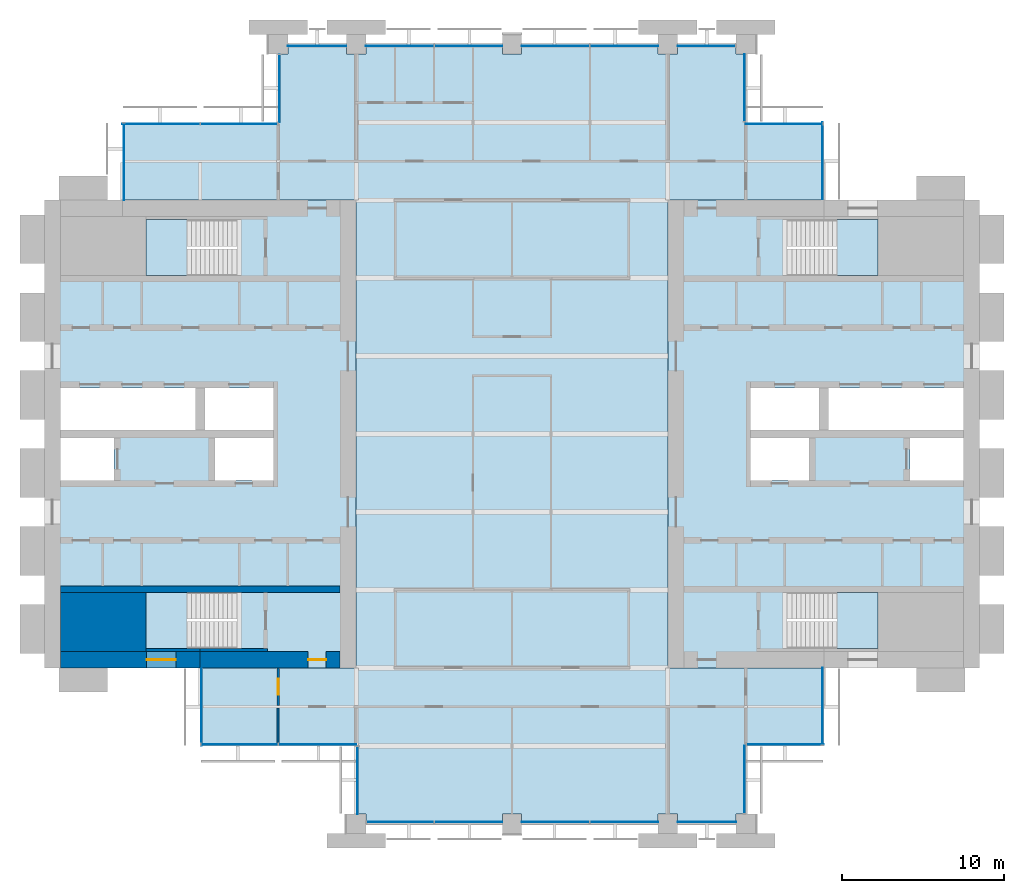
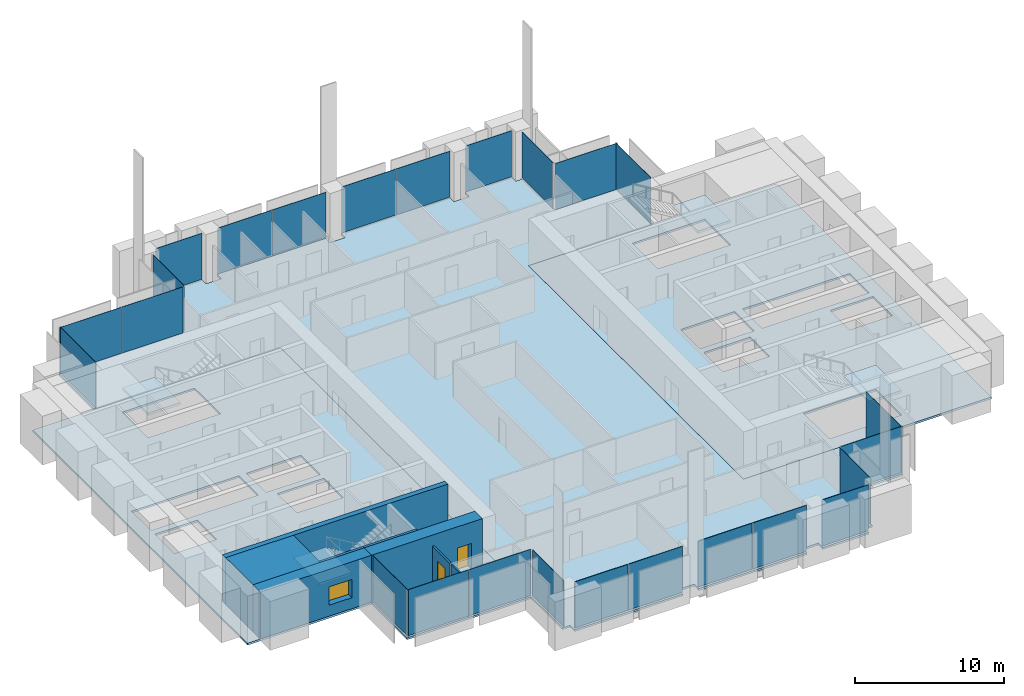
# One storey, part 8 of 14: 25 plates, 8 walls, 7 slabs, 2 doors, 1 window, 3 openings, 18 elements without a shape of their own.
"""IFC4 building model written with IfcOpenShell, lengths in metres."""

import ifcopenshell
import ifcopenshell.guid

model = None  # the IFC model being written
_history = None  # IfcOwnerHistory: only IFC2X3 demands one
_inside = {}  # id of a spatial element -> (the spatial element, [elements in it])
_under = {}  # id of a project, library or spatial element -> (it, [spatial elements below it])
_declared = {}  # id of a project -> (the project, [libraries it declares])
_typed = {}  # id of a type object -> (the type object, [elements of that type])
_made_of = {}  # id of a material, layer set ... -> (it, [elements and type objects made of it])


def new_model(schema):
    """Start an empty IFC model of exactly this schema.

    Asked for "IFC4X3", IfcOpenShell would pick the latest addendum, in which some entities
    have other attributes; the version numbers below select the first issue.
    IFC2X3 requires an IfcOwnerHistory on every rooted entity: one is made here for all.
    """
    global model, _history
    if schema == "IFC4X3":
        model = ifcopenshell.file(schema_version=(4, 3, 0, 0))
    else:
        model = ifcopenshell.file(schema=schema)
    _inside.clear()
    _under.clear()
    _declared.clear()
    _typed.clear()
    _made_of.clear()
    _history = None
    if model.schema == "IFC2X3":
        org = make("IfcOrganization", Name="unknown")
        user = make(
            "IfcPersonAndOrganization",
            ThePerson=make("IfcPerson", FamilyName="unknown"),
            TheOrganization=org,
        )
        app = make(
            "IfcApplication",
            ApplicationDeveloper=org,
            Version="unknown",
            ApplicationFullName="unknown",
            ApplicationIdentifier="unknown",
        )
        _history = make(
            "IfcOwnerHistory",
            OwningUser=user,
            OwningApplication=app,
            ChangeAction="ADDED",
            CreationDate=0,
        )
    return model


def make(cls, **values):
    """One entity of the class cls with the attributes given. An attribute that is None is left unset."""
    return model.create_entity(
        cls, **{name: value for name, value in values.items() if value is not None}
    )


def rooted(cls, **values):
    """An entity with a GlobalId (a new one), such as an element, a storey or a relation."""
    return make(cls, GlobalId=ifcopenshell.guid.new(), OwnerHistory=_history, **values)


def si_unit(unit_type, name, prefix=None):
    """IfcSIUnit, for example si_unit("LENGTHUNIT", "METRE", prefix="MILLI")."""
    return make("IfcSIUnit", UnitType=unit_type, Prefix=prefix, Name=name)


def assignment(units):
    """IfcUnitAssignment: the units of a project."""
    return None if units is None else make("IfcUnitAssignment", Units=units)


def point(xyz):
    """IfcCartesianPoint."""
    return None if xyz is None else make("IfcCartesianPoint", Coordinates=xyz)


def direction(xyz):
    """IfcDirection."""
    return None if xyz is None else make("IfcDirection", DirectionRatios=xyz)


def frame(location, z_axis=None, x_axis=None):
    """IfcAxis2Placement3D, a coordinate frame: its origin and axes. An axis left out is left unset."""
    return make(
        "IfcAxis2Placement3D",
        Location=point(location),
        Axis=direction(z_axis),
        RefDirection=direction(x_axis),
    )


def frame_2d(location, x_axis=None):
    """IfcAxis2Placement2D, a coordinate frame in the plane: its origin and x axis."""
    return make(
        "IfcAxis2Placement2D", Location=point(location), RefDirection=direction(x_axis)
    )


def origin():
    """The frame at (0, 0, 0) with its axes left unset."""
    return frame((0.0, 0.0, 0.0))


def origin_2d():
    """The frame at (0, 0) in the plane with its x axis left unset."""
    return frame_2d((0.0, 0.0))


def place(relative_to, where):
    """IfcLocalPlacement: puts the frame where relative to a parent placement (None: the world)."""
    return make(
        "IfcLocalPlacement", PlacementRelTo=relative_to, RelativePlacement=where
    )


def context(
    kind, dimensions, precision=None, world=None, true_north=None, identifier=None
):
    """IfcGeometricRepresentationContext, for example the 3D "Model" context."""
    return make(
        "IfcGeometricRepresentationContext",
        ContextIdentifier=identifier,
        ContextType=kind,
        CoordinateSpaceDimension=dimensions,
        Precision=precision,
        WorldCoordinateSystem=world,
        TrueNorth=true_north,
    )


def subcontext(parent, identifier, kind, view, scale=None):
    """IfcGeometricRepresentationSubContext, for example "Body" below "Model"."""
    return make(
        "IfcGeometricRepresentationSubContext",
        ContextIdentifier=identifier,
        ContextType=kind,
        ParentContext=parent,
        TargetScale=scale,
        TargetView=view,
    )


def project(units=None, contexts=None):
    """IfcProject with its units and contexts."""
    return rooted(
        "IfcProject",
        Name="project",
        RepresentationContexts=contexts,
        UnitsInContext=assignment(units),
    )


def spatial(cls, under=None, at=None, **own):
    """A site, building, storey or space (cls), placed at a placement, below another one or the project."""
    s = rooted(cls, ObjectPlacement=at, **own)
    if under is not None:
        _under.setdefault(under.id(), (under, []))[1].append(s)
    return s


def polyline(points):
    """IfcPolyline through the points."""
    return make("IfcPolyline", Points=[point(p) for p in points])


def profile(cls, at=None, kind="AREA", **sizes):
    """A parametric profile (cls). Its sizes go by their IFC names, for example OverallWidth=200.0."""
    return make(cls, ProfileType=kind, Position=at, **sizes)


def rectangle(**sizes):
    """IfcRectangleProfileDef."""
    return profile("IfcRectangleProfileDef", **sizes)


def outline(outer, holes=None, kind="AREA"):
    """IfcArbitraryClosedProfileDef: a profile drawn as a closed curve; with holes, ...WithVoids."""
    if holes is None:
        return make("IfcArbitraryClosedProfileDef", ProfileType=kind, OuterCurve=outer)
    return make(
        "IfcArbitraryProfileDefWithVoids",
        ProfileType=kind,
        OuterCurve=outer,
        InnerCurves=holes,
    )


def extrude(swept, where, along, depth):
    """IfcExtrudedAreaSolid: the profile swept, set in the frame where, extruded along a direction by depth."""
    return make(
        "IfcExtrudedAreaSolid",
        SweptArea=swept,
        Position=where,
        ExtrudedDirection=direction(along),
        Depth=depth,
    )


def shape(context_of_items, identifier, shape_type, items):
    """IfcShapeRepresentation: the items that make up one representation, for example the "Body"."""
    return make(
        "IfcShapeRepresentation",
        ContextOfItems=context_of_items,
        RepresentationIdentifier=identifier,
        RepresentationType=shape_type,
        Items=items,
    )


def material(Name=None, Category=None):
    """IfcMaterial."""
    return make("IfcMaterial", Name=Name, Category=Category)


def layer(
    of_material, thickness, ventilated=None, Name=None, Category=None, Priority=None
):
    """IfcMaterialLayer: one layer of a wall or slab, of a material (None: an air gap)."""
    return make(
        "IfcMaterialLayer",
        Material=of_material,
        LayerThickness=thickness,
        IsVentilated=ventilated,
        Name=Name,
        Category=Category,
        Priority=Priority,
    )


def layer_set(layers, Name=None):
    """IfcMaterialLayerSet."""
    return make("IfcMaterialLayerSet", MaterialLayers=layers, LayerSetName=Name)


def made_of(thing, what):
    """Note that an element or type object is made of a material, layer set ...; save() writes the relation."""
    if what is not None:
        _made_of.setdefault(what.id(), (what, []))[1].append(thing)
    return thing


def type_object(cls, material=None, **own):
    """A type object (cls), such as IfcWallType, which elements share."""
    return made_of(rooted(cls, **own), material)


def element(
    cls,
    number,
    at=None,
    inside=None,
    cuts=None,
    type_object=None,
    material=None,
    context=None,
    identifier="Body",
    shape_type=None,
    held_by="IfcProductDefinitionShape",
    body=None,
    shapes=None,
    **own,
):
    """One element of the class cls, such as IfcWall. Its Tag is "e" and its number.

    at: its placement. inside: the storey or other place that contains it. cuts: it is an
    opening in that element (IfcRelVoidsElement). A single representation is given by context,
    identifier, shape_type and body (its items); several are given by shapes. held_by: the class
    of the entity that holds the representations. save() writes the other relations.
    """
    e = rooted(cls, Tag="e%d" % number, ObjectPlacement=at, **own)
    if body is not None:
        shapes = [shape(context, identifier, shape_type, body)]
    if shapes is not None:
        e.Representation = make(held_by, Representations=shapes)
    if inside is not None:
        _inside.setdefault(inside.id(), (inside, []))[1].append(e)
    if cuts is not None:
        rooted(
            "IfcRelVoidsElement", RelatingBuildingElement=cuts, RelatedOpeningElement=e
        )
    if type_object is not None:
        _typed.setdefault(type_object.id(), (type_object, []))[1].append(e)
    return made_of(e, material)


def fill(opening, filler):
    """IfcRelFillsElement: the door or window that sits in an opening."""
    return rooted(
        "IfcRelFillsElement",
        RelatingOpeningElement=opening,
        RelatedBuildingElement=filler,
    )


def aggregate(whole, parts):
    """IfcRelAggregates: a whole, such as a stair, and the parts it consists of."""
    return rooted("IfcRelAggregates", RelatingObject=whole, RelatedObjects=parts)


def save(model, path):
    """Write the relations noted so far, then the file.

    IfcRelAggregates (storeys below a building ...), IfcRelContainedInSpatialStructure (elements
    in a storey), IfcRelDefinesByType, IfcRelAssociatesMaterial and IfcRelDeclares: one each for
    every whole, place, type object, material and project.
    """
    for whole, parts in _under.values():
        aggregate(whole, parts)
    for where, things in _inside.values():
        rooted(
            "IfcRelContainedInSpatialStructure",
            RelatedElements=things,
            RelatingStructure=where,
        )
    for kind, things in _typed.values():
        rooted("IfcRelDefinesByType", RelatedObjects=things, RelatingType=kind)
    for what, things in _made_of.values():
        rooted("IfcRelAssociatesMaterial", RelatedObjects=things, RelatingMaterial=what)
    for by, libraries in _declared.values():
        rooted("IfcRelDeclares", RelatingContext=by, RelatedDefinitions=libraries)
    model.write(path)


model = new_model("IFC4")

# Units and contexts
model_context = context("Model", 3, precision=1e-05, world=origin(), true_north=direction((0.0, 1.0)))
body_context = subcontext(model_context, "Body", "Model", "MODEL_VIEW")
ifc_project = project(units=[si_unit("LENGTHUNIT", "METRE"), si_unit("AREAUNIT", "SQUARE_METRE"), si_unit("VOLUMEUNIT", "CUBIC_METRE"), si_unit("PLANEANGLEUNIT", "RADIAN"), si_unit("MASSUNIT", "GRAM", prefix="KILO")], contexts=[model_context])

# Site, building, storey
site_placement = place(None, origin())
site = spatial("IfcSite", under=ifc_project, at=site_placement, CompositionType="ELEMENT")
building_placement = place(site_placement, origin())
building = spatial("IfcBuilding", under=site, at=building_placement, Name="Baori Bourse Tower", CompositionType="ELEMENT")
storey_placement = place(building_placement, frame((0.0, 0.0, 156.10009765625)))
storey = spatial("IfcBuildingStorey", under=building, at=storey_placement, Name="L34", CompositionType="ELEMENT", Elevation=156.10009765625)

# Curtain wall, plates
ifc_material_1 = material(Name="Pale anodised aluminium", Category="aluminium")
curtain_wall_type_1 = type_object("IfcCurtainWallType", Name="CW1 Curtain wall", PredefinedType="NOTDEFINED", material=ifc_material_1)
curtain_wall_1_placement = place(storey_placement, origin())
curtain_wall_1 = element("IfcCurtainWall", 1, at=curtain_wall_1_placement, inside=storey, type_object=curtain_wall_type_1, Name="Curtain wall CW1 L34 4", PredefinedType="NOTDEFINED")
ifc_material_2 = material(Name="Clear glass", Category="glass")
ifc_layer_1 = layer(ifc_material_2, 0.033935546875)
ifc_layer_set_1 = layer_set([ifc_layer_1], Name="CW1 Curtain wall panel")
plate_type_1 = type_object("IfcPlateType", Name="CW1 Curtain wall panel", PredefinedType="CURTAIN_PANEL", material=ifc_layer_set_1)
plate_1_placement = place(storey_placement, frame((40.77001953125, 47.89990234375, 0.080078125), z_axis=(0.0, 0.0, 1.0), x_axis=(-1.0, 0.0, 0.0)))
plate_1 = element("IfcPlate", 2, at=plate_1_placement, type_object=plate_type_1, Name="Curtain wall CW1 panel", PredefinedType="CURTAIN_PANEL", context=body_context, shape_type="SweptSolid", body=[
    extrude(rectangle(XDim=3.5400390625, YDim=0.033935546875, at=origin_2d()), origin(), (0.0, 0.0, 1.0), 3.760009765625),
])
plate_2_placement = place(storey_placement, frame((35.715087890625, 47.89990234375, 0.080078125), z_axis=(0.0, 0.0, 1.0), x_axis=(-1.0, 0.0, 0.0)))
plate_2 = element("IfcPlate", 3, at=plate_2_placement, type_object=plate_type_1, Name="Curtain wall CW1 panel", PredefinedType="CURTAIN_PANEL", context=body_context, shape_type="SweptSolid", body=[
    extrude(rectangle(XDim=4.169921875, YDim=0.033935546875, at=origin_2d()), origin(), (0.0, 0.0, 1.0), 3.760009765625),
])
plate_3_placement = place(storey_placement, frame((31.485107421875, 47.89990234375, 0.080078125), z_axis=(0.0, 0.0, 1.0), x_axis=(-1.0, 0.0, 0.0)))
plate_3 = element("IfcPlate", 4, at=plate_3_placement, type_object=plate_type_1, Name="Curtain wall CW1 panel", PredefinedType="CURTAIN_PANEL", context=body_context, shape_type="SweptSolid", body=[
    extrude(rectangle(XDim=4.169921875, YDim=0.033935546875, at=origin_2d()), origin(), (0.0, 0.0, 1.0), 3.760009765625),
])
plate_4_placement = place(storey_placement, frame((26.114990234375, 47.89990234375, 0.080078125), z_axis=(0.0, 0.0, 1.0), x_axis=(-1.0, 0.0, 0.0)))
plate_4 = element("IfcPlate", 5, at=plate_4_placement, type_object=plate_type_1, Name="Curtain wall CW1 panel", PredefinedType="CURTAIN_PANEL", context=body_context, shape_type="SweptSolid", body=[
    extrude(rectangle(XDim=4.169921875, YDim=0.033935546875, at=origin_2d()), origin(), (0.0, 0.0, 1.0), 3.760009765625),
])
plate_5_placement = place(storey_placement, frame((21.885009765625, 47.89990234375, 0.080078125), z_axis=(0.0, 0.0, 1.0), x_axis=(-1.0, 0.0, 0.0)))
plate_5 = element("IfcPlate", 6, at=plate_5_placement, type_object=plate_type_1, Name="Curtain wall CW1 panel", PredefinedType="CURTAIN_PANEL", context=body_context, shape_type="SweptSolid", body=[
    extrude(rectangle(XDim=4.169921875, YDim=0.033935546875, at=origin_2d()), origin(), (0.0, 0.0, 1.0), 3.760009765625),
])
plate_6_placement = place(storey_placement, frame((16.800048828125, 47.89990234375, 0.080078125), z_axis=(0.0, 0.0, 1.0), x_axis=(-1.0, 0.0, 0.0)))
plate_6 = element("IfcPlate", 7, at=plate_6_placement, type_object=plate_type_1, Name="Curtain wall CW1 panel", PredefinedType="CURTAIN_PANEL", context=body_context, shape_type="SweptSolid", body=[
    extrude(rectangle(XDim=3.60009765625, YDim=0.033935546875, at=origin_2d()), origin(), (0.0, 0.0, 1.0), 3.760009765625),
])
aggregate(curtain_wall_1, [plate_1, plate_2, plate_3, plate_4, plate_5, plate_6])

curtain_wall_2_placement = place(storey_placement, origin())
curtain_wall_2 = element("IfcCurtainWall", 8, at=curtain_wall_2_placement, inside=storey, type_object=curtain_wall_type_1, Name="Curtain wall CW1 L34 11", PredefinedType="NOTDEFINED")
plate_7_placement = place(storey_placement, frame((21.9150390625, 0.10009765625, 0.080078125), z_axis=(0.0, 0.0, 1.0), x_axis=(1.0, 0.0, 0.0)))
plate_7 = element("IfcPlate", 9, at=plate_7_placement, type_object=plate_type_1, Name="Curtain wall CW1 panel", PredefinedType="CURTAIN_PANEL", context=body_context, shape_type="SweptSolid", body=[
    extrude(rectangle(XDim=4.110107421875, YDim=0.033935546875, at=origin_2d()), origin(), (0.0, 0.0, 1.0), 3.760009765625),
])
plate_8_placement = place(storey_placement, frame((26.114990234375, 0.10009765625, 0.080078125), z_axis=(0.0, 0.0, 1.0), x_axis=(1.0, 0.0, 0.0)))
plate_8 = element("IfcPlate", 10, at=plate_8_placement, type_object=plate_type_1, Name="Curtain wall CW1 panel", PredefinedType="CURTAIN_PANEL", context=body_context, shape_type="SweptSolid", body=[
    extrude(rectangle(XDim=4.169921875, YDim=0.033935546875, at=origin_2d()), origin(), (0.0, 0.0, 1.0), 3.760009765625),
])
plate_9_placement = place(storey_placement, frame((31.485107421875, 0.10009765625, 0.080078125), z_axis=(0.0, 0.0, 1.0), x_axis=(1.0, 0.0, 0.0)))
plate_9 = element("IfcPlate", 11, at=plate_9_placement, type_object=plate_type_1, Name="Curtain wall CW1 panel", PredefinedType="CURTAIN_PANEL", context=body_context, shape_type="SweptSolid", body=[
    extrude(rectangle(XDim=4.169921875, YDim=0.033935546875, at=origin_2d()), origin(), (0.0, 0.0, 1.0), 3.760009765625),
])
plate_10_placement = place(storey_placement, frame((35.715087890625, 0.10009765625, 0.080078125), z_axis=(0.0, 0.0, 1.0), x_axis=(1.0, 0.0, 0.0)))
plate_10 = element("IfcPlate", 12, at=plate_10_placement, type_object=plate_type_1, Name="Curtain wall CW1 panel", PredefinedType="CURTAIN_PANEL", context=body_context, shape_type="SweptSolid", body=[
    extrude(rectangle(XDim=4.169921875, YDim=0.033935546875, at=origin_2d()), origin(), (0.0, 0.0, 1.0), 3.760009765625),
])
plate_11_placement = place(storey_placement, frame((40.800048828125, 0.10009765625, 0.080078125), z_axis=(0.0, 0.0, 1.0), x_axis=(1.0, 0.0, 0.0)))
plate_11 = element("IfcPlate", 13, at=plate_11_placement, type_object=plate_type_1, Name="Curtain wall CW1 panel", PredefinedType="CURTAIN_PANEL", context=body_context, shape_type="SweptSolid", body=[
    extrude(rectangle(XDim=3.60009765625, YDim=0.033935546875, at=origin_2d()), origin(), (0.0, 0.0, 1.0), 3.760009765625),
])
aggregate(curtain_wall_2, [plate_7, plate_8, plate_9, plate_10, plate_11])

# Curtain wall, plate
ifc_material_3 = material(Name="Pale anodised aluminium", Category="aluminium")
curtain_wall_type_2 = type_object("IfcCurtainWallType", Name="CW2 Curtain wall", PredefinedType="NOTDEFINED", material=ifc_material_3)
curtain_wall_3_placement = place(storey_placement, origin())
curtain_wall_3 = element("IfcCurtainWall", 14, at=curtain_wall_3_placement, inside=storey, type_object=curtain_wall_type_2, Name="Curtain wall CW2 L34 1", PredefinedType="NOTDEFINED")
ifc_material_4 = material(Name="Clear glass", Category="glass")
ifc_layer_2 = layer(ifc_material_4, 0.030029296875)
ifc_layer_set_2 = layer_set([ifc_layer_2], Name="CW2 Curtain wall panel")
plate_type_2 = type_object("IfcPlateType", Name="CW2 Curtain wall panel", PredefinedType="CURTAIN_PANEL", material=ifc_layer_set_2)
plate_12_placement = place(storey_placement, frame((47.909912109375, 40.827392578125, 0.06982421875), z_axis=(0.0, 0.0, 1.0), x_axis=(0.0, 1.0, 0.0)))
plate_12 = element("IfcPlate", 15, at=plate_12_placement, type_object=plate_type_2, Name="Curtain wall CW2 panel", PredefinedType="CURTAIN_PANEL", context=body_context, shape_type="SweptSolid", body=[
    extrude(rectangle(XDim=4.7451171875, YDim=0.030029296875, at=origin_2d()), origin(), (0.0, 0.0, 1.0), 3.77001953125),
])
aggregate(curtain_wall_3, [plate_12])

curtain_wall_4_placement = place(storey_placement, origin())
curtain_wall_4 = element("IfcCurtainWall", 16, at=curtain_wall_4_placement, inside=storey, type_object=curtain_wall_type_2, Name="Curtain wall CW2 L34 2", PredefinedType="NOTDEFINED")
plate_13_placement = place(storey_placement, frame((45.572509765625, 43.110107421875, 0.06982421875), z_axis=(0.0, 0.0, 1.0), x_axis=(-1.0, 0.0, 0.0)))
plate_13 = element("IfcPlate", 17, at=plate_13_placement, type_object=plate_type_2, Name="Curtain wall CW2 panel", PredefinedType="CURTAIN_PANEL", context=body_context, shape_type="SweptSolid", body=[
    extrude(rectangle(XDim=4.7451171875, YDim=0.030029296875, at=origin_2d()), origin(), (0.0, 0.0, 1.0), 3.77001953125),
])
aggregate(curtain_wall_4, [plate_13])

curtain_wall_5_placement = place(storey_placement, origin())
curtain_wall_5 = element("IfcCurtainWall", 18, at=curtain_wall_5_placement, inside=storey, type_object=curtain_wall_type_2, Name="Curtain wall CW2 L34 3", PredefinedType="NOTDEFINED")
plate_14_placement = place(storey_placement, frame((43.110107421875, 45.327392578125, 0.06982421875), z_axis=(0.0, 0.0, 1.0), x_axis=(0.0, 1.0, 0.0)))
plate_14 = element("IfcPlate", 19, at=plate_14_placement, type_object=plate_type_2, Name="Curtain wall CW2 panel", PredefinedType="CURTAIN_PANEL", context=body_context, shape_type="SweptSolid", body=[
    extrude(rectangle(XDim=4.14501953125, YDim=0.030029296875, at=origin_2d()), origin(), (0.0, 0.0, 1.0), 3.77001953125),
])
aggregate(curtain_wall_5, [plate_14])

curtain_wall_6_placement = place(storey_placement, origin())
curtain_wall_6 = element("IfcCurtainWall", 20, at=curtain_wall_6_placement, inside=storey, type_object=curtain_wall_type_2, Name="Curtain wall CW2 L34 5", PredefinedType="NOTDEFINED")
plate_15_placement = place(storey_placement, frame((14.489990234375, 45.2724609375, 0.06982421875), z_axis=(0.0, 0.0, 1.0), x_axis=(0.0, -1.0, 0.0)))
plate_15 = element("IfcPlate", 21, at=plate_15_placement, type_object=plate_type_2, Name="Curtain wall CW2 panel", PredefinedType="CURTAIN_PANEL", context=body_context, shape_type="SweptSolid", body=[
    extrude(rectangle(XDim=4.14501953125, YDim=0.030029296875, at=origin_2d()), origin(), (0.0, 0.0, 1.0), 3.77001953125),
])
aggregate(curtain_wall_6, [plate_15])

# Curtain wall, plates
curtain_wall_7_placement = place(storey_placement, origin())
curtain_wall_7 = element("IfcCurtainWall", 22, at=curtain_wall_7_placement, inside=storey, type_object=curtain_wall_type_2, Name="Curtain wall CW2 L34 6", PredefinedType="NOTDEFINED")
plate_16_placement = place(storey_placement, frame((11.986328125, 43.110107421875, 0.06982421875), z_axis=(0.0, 0.0, 1.0), x_axis=(-1.0, 0.0, 0.0)))
plate_16 = element("IfcPlate", 23, at=plate_16_placement, type_object=plate_type_2, Name="Curtain wall CW2 panel", PredefinedType="CURTAIN_PANEL", context=body_context, shape_type="SweptSolid", body=[
    extrude(rectangle(XDim=4.717529296875, YDim=0.030029296875, at=origin_2d()), origin(), (0.0, 0.0, 1.0), 3.77001953125),
])
plate_17_placement = place(storey_placement, frame((7.186279296875, 43.110107421875, 0.06982421875), z_axis=(0.0, 0.0, 1.0), x_axis=(-1.0, 0.0, 0.0)))
plate_17 = element("IfcPlate", 24, at=plate_17_placement, type_object=plate_type_2, Name="Curtain wall CW2 panel", PredefinedType="CURTAIN_PANEL", context=body_context, shape_type="SweptSolid", body=[
    extrude(rectangle(XDim=4.7724609375, YDim=0.030029296875, at=origin_2d()), origin(), (0.0, 0.0, 1.0), 3.77001953125),
])
aggregate(curtain_wall_7, [plate_16, plate_17])

# Curtain wall, plate
curtain_wall_8_placement = place(storey_placement, origin())
curtain_wall_8 = element("IfcCurtainWall", 25, at=curtain_wall_8_placement, inside=storey, type_object=curtain_wall_type_2, Name="Curtain wall CW2 L34 7", PredefinedType="NOTDEFINED")
plate_18_placement = place(storey_placement, frame((4.889892578125, 40.7724609375, 0.06982421875), z_axis=(0.0, 0.0, 1.0), x_axis=(0.0, -1.0, 0.0)))
plate_18 = element("IfcPlate", 26, at=plate_18_placement, type_object=plate_type_2, Name="Curtain wall CW2 panel", PredefinedType="CURTAIN_PANEL", context=body_context, shape_type="SweptSolid", body=[
    extrude(rectangle(XDim=4.7451171875, YDim=0.030029296875, at=origin_2d()), origin(), (0.0, 0.0, 1.0), 3.77001953125),
])
aggregate(curtain_wall_8, [plate_18])

curtain_wall_9_placement = place(storey_placement, origin())
curtain_wall_9 = element("IfcCurtainWall", 27, at=curtain_wall_9_placement, inside=storey, type_object=curtain_wall_type_2, Name="Curtain wall CW2 L34 8", PredefinedType="NOTDEFINED")
plate_19_placement = place(storey_placement, frame((9.68994140625, 7.172607421875, 0.06982421875), z_axis=(0.0, 0.0, 1.0), x_axis=(0.0, -1.0, 0.0)))
plate_19 = element("IfcPlate", 28, at=plate_19_placement, type_object=plate_type_2, Name="Curtain wall CW2 panel", PredefinedType="CURTAIN_PANEL", context=body_context, shape_type="SweptSolid", body=[
    extrude(rectangle(XDim=4.7451171875, YDim=0.030029296875, at=origin_2d()), origin(), (0.0, 0.0, 1.0), 3.77001953125),
])
aggregate(curtain_wall_9, [plate_19])

# Curtain wall, plates
curtain_wall_10_placement = place(storey_placement, origin())
curtain_wall_10 = element("IfcCurtainWall", 29, at=curtain_wall_10_placement, inside=storey, type_object=curtain_wall_type_2, Name="Curtain wall CW2 L34 9", PredefinedType="NOTDEFINED")
plate_20_placement = place(storey_placement, frame((12.013671875, 4.889892578125, 0.06982421875), z_axis=(0.0, 0.0, 1.0), x_axis=(1.0, 0.0, 0.0)))
plate_20 = element("IfcPlate", 30, at=plate_20_placement, type_object=plate_type_2, Name="Curtain wall CW2 panel", PredefinedType="CURTAIN_PANEL", context=body_context, shape_type="SweptSolid", body=[
    extrude(rectangle(XDim=4.717529296875, YDim=0.030029296875, at=origin_2d()), origin(), (0.0, 0.0, 1.0), 3.77001953125),
])
plate_21_placement = place(storey_placement, frame((16.813720703125, 4.889892578125, 0.06982421875), z_axis=(0.0, 0.0, 1.0), x_axis=(1.0, 0.0, 0.0)))
plate_21 = element("IfcPlate", 31, at=plate_21_placement, type_object=plate_type_2, Name="Curtain wall CW2 panel", PredefinedType="CURTAIN_PANEL", context=body_context, shape_type="SweptSolid", body=[
    extrude(rectangle(XDim=4.7724609375, YDim=0.030029296875, at=origin_2d()), origin(), (0.0, 0.0, 1.0), 3.77001953125),
])
aggregate(curtain_wall_10, [plate_20, plate_21])

# Curtain wall, plate
curtain_wall_11_placement = place(storey_placement, origin())
curtain_wall_11 = element("IfcCurtainWall", 32, at=curtain_wall_11_placement, inside=storey, type_object=curtain_wall_type_2, Name="Curtain wall CW2 L34 10", PredefinedType="NOTDEFINED")
plate_22_placement = place(storey_placement, frame((19.2900390625, 2.672607421875, 0.06982421875), z_axis=(0.0, 0.0, 1.0), x_axis=(0.0, -1.0, 0.0)))
plate_22 = element("IfcPlate", 33, at=plate_22_placement, type_object=plate_type_2, Name="Curtain wall CW2 panel", PredefinedType="CURTAIN_PANEL", context=body_context, shape_type="SweptSolid", body=[
    extrude(rectangle(XDim=4.14501953125, YDim=0.030029296875, at=origin_2d()), origin(), (0.0, 0.0, 1.0), 3.77001953125),
])
aggregate(curtain_wall_11, [plate_22])

curtain_wall_12_placement = place(storey_placement, origin())
curtain_wall_12 = element("IfcCurtainWall", 34, at=curtain_wall_12_placement, inside=storey, type_object=curtain_wall_type_2, Name="Curtain wall CW2 L34 12", PredefinedType="NOTDEFINED")
plate_23_placement = place(storey_placement, frame((43.110107421875, 2.7275390625, 0.06982421875), z_axis=(0.0, 0.0, 1.0), x_axis=(0.0, 1.0, 0.0)))
plate_23 = element("IfcPlate", 35, at=plate_23_placement, type_object=plate_type_2, Name="Curtain wall CW2 panel", PredefinedType="CURTAIN_PANEL", context=body_context, shape_type="SweptSolid", body=[
    extrude(rectangle(XDim=4.14501953125, YDim=0.030029296875, at=origin_2d()), origin(), (0.0, 0.0, 1.0), 3.77001953125),
])
aggregate(curtain_wall_12, [plate_23])

curtain_wall_13_placement = place(storey_placement, origin())
curtain_wall_13 = element("IfcCurtainWall", 36, at=curtain_wall_13_placement, inside=storey, type_object=curtain_wall_type_2, Name="Curtain wall CW2 L34 13", PredefinedType="NOTDEFINED")
plate_24_placement = place(storey_placement, frame((45.62744140625, 4.889892578125, 0.06982421875), z_axis=(0.0, 0.0, 1.0), x_axis=(1.0, 0.0, 0.0)))
plate_24 = element("IfcPlate", 37, at=plate_24_placement, type_object=plate_type_2, Name="Curtain wall CW2 panel", PredefinedType="CURTAIN_PANEL", context=body_context, shape_type="SweptSolid", body=[
    extrude(rectangle(XDim=4.7451171875, YDim=0.030029296875, at=origin_2d()), origin(), (0.0, 0.0, 1.0), 3.77001953125),
])
aggregate(curtain_wall_13, [plate_24])

curtain_wall_14_placement = place(storey_placement, origin())
curtain_wall_14 = element("IfcCurtainWall", 38, at=curtain_wall_14_placement, inside=storey, type_object=curtain_wall_type_2, Name="Curtain wall CW2 L34 14", PredefinedType="NOTDEFINED")
plate_25_placement = place(storey_placement, frame((47.909912109375, 7.2275390625, 0.06982421875), z_axis=(0.0, 0.0, 1.0), x_axis=(0.0, 1.0, 0.0)))
plate_25 = element("IfcPlate", 39, at=plate_25_placement, type_object=plate_type_2, Name="Curtain wall CW2 panel", PredefinedType="CURTAIN_PANEL", context=body_context, shape_type="SweptSolid", body=[
    extrude(rectangle(XDim=4.7451171875, YDim=0.030029296875, at=origin_2d()), origin(), (0.0, 0.0, 1.0), 3.77001953125),
])
aggregate(curtain_wall_14, [plate_25])

# Slabs
ifc_material_5 = material(Name="Concrete f'c 50 MPa", Category="concrete")
ifc_layer_3 = layer(ifc_material_5, 0.159912109375)
ifc_layer_set_3 = layer_set([ifc_layer_3], Name="Core slab 160")
slab_type_1 = type_object("IfcSlabType", Name="Core slab 160", PredefinedType="FLOOR", material=ifc_layer_set_3)
slab_1_placement = place(storey_placement, frame((0.0, 0.0, -0.16015625)))
element("IfcSlab", 40, at=slab_1_placement, inside=storey, type_object=slab_type_1, Name="Core floor slab W01", PredefinedType="FLOOR", context=body_context, shape_type="SweptSolid", body=[
    extrude(outline(polyline([(0.0, 38.39990234375), (0.0, 9.60009765625), (19.199951171875, 9.60009765625), (19.199951171875, 38.39990234375), (0.0, 38.39990234375)]), holes=[polyline([(10.5, 21.14990234375), (10.5, 23.75), (14.10009765625, 23.75), (14.10009765625, 21.14990234375), (10.5, 21.14990234375)]), polyline([(14.10009765625, 24.25), (9.89990234375, 24.25), (9.89990234375, 26.85009765625), (14.10009765625, 26.85009765625), (14.10009765625, 24.25)]), polyline([(6.25, 14.25), (11.84912109375, 14.25), (11.84912109375, 10.800048828125), (6.25, 10.800048828125), (6.25, 14.25)]), polyline([(11.84912109375, 37.199951171875), (11.84912109375, 33.75), (6.25, 33.75), (6.25, 37.199951171875), (11.84912109375, 37.199951171875)]), polyline([(1.0, 26.85009765625), (9.300048828125, 26.85009765625), (9.300048828125, 24.25), (1.0, 24.25), (1.0, 26.85009765625)]), polyline([(4.300048828125, 23.75), (4.300048828125, 21.14990234375), (1.0, 21.14990234375), (1.0, 23.75), (4.300048828125, 23.75)])]), origin(), (0.0, 0.0, 1.0), 0.16015625),
])
slab_2_placement = place(storey_placement, frame((0.0, 0.0, -0.16015625)))
element("IfcSlab", 41, at=slab_2_placement, inside=storey, type_object=slab_type_1, Name="Core floor slab E01", PredefinedType="FLOOR", context=body_context, shape_type="SweptSolid", body=[
    extrude(outline(polyline([(57.60009765625, 38.39990234375), (38.39990234375, 38.39990234375), (38.39990234375, 9.60009765625), (57.60009765625, 9.60009765625), (57.60009765625, 38.39990234375)]), holes=[polyline([(56.60009765625, 21.14990234375), (53.300048828125, 21.14990234375), (53.300048828125, 23.75), (56.60009765625, 23.75), (56.60009765625, 21.14990234375)]), polyline([(56.60009765625, 26.85009765625), (56.60009765625, 24.25), (48.300048828125, 24.25), (48.300048828125, 26.85009765625), (56.60009765625, 26.85009765625)]), polyline([(45.750732421875, 14.25), (51.35009765625, 14.25), (51.35009765625, 10.800048828125), (45.750732421875, 10.800048828125), (45.750732421875, 14.25)]), polyline([(51.35009765625, 37.199951171875), (51.35009765625, 33.75), (45.750732421875, 33.75), (45.750732421875, 37.199951171875), (51.35009765625, 37.199951171875)]), polyline([(43.5, 24.25), (43.5, 26.85009765625), (47.699951171875, 26.85009765625), (47.699951171875, 24.25), (43.5, 24.25)]), polyline([(43.5, 23.75), (47.10009765625, 23.75), (47.10009765625, 21.14990234375), (43.5, 21.14990234375), (43.5, 23.75)])]), origin(), (0.0, 0.0, 1.0), 0.16015625),
])

# Stair, slab
ifc_material_6 = material(Name="Concrete f'c 50 MPa", Category="concrete")
stair_type = type_object("IfcStairType", Name="Core stair", PredefinedType="HALF_TURN_STAIR", material=ifc_material_6)
stair_1_placement = place(storey_placement, origin())
stair_1 = element("IfcStair", 42, at=stair_1_placement, inside=storey, type_object=stair_type, Name="L34 Stair WA", PredefinedType="HALF_TURN_STAIR")
ifc_material_7 = material(Name="Concrete f'c 50 MPa", Category="concrete")
slab_type_2 = type_object("IfcSlabType", Name="Core stair landing", PredefinedType="LANDING", material=ifc_material_7)
slab_3_placement = place(storey_placement, frame((0.0, 0.0, 1.7998046875)))
slab_3 = element("IfcSlab", 43, at=slab_3_placement, type_object=slab_type_2, Name="ST1 landing 1", PredefinedType="LANDING", context=body_context, shape_type="SweptSolid", body=[
    extrude(outline(polyline([(8.77001953125, 14.25), (6.25, 14.25), (6.25, 10.800048828125), (8.77001953125, 10.800048828125), (8.77001953125, 14.25)])), origin(), (0.0, 0.0, 1.0), 0.2001953125),
])
aggregate(stair_1, [slab_3])

stair_2_placement = place(storey_placement, origin())
stair_2 = element("IfcStair", 44, at=stair_2_placement, inside=storey, type_object=stair_type, Name="L34 Stair WB", PredefinedType="HALF_TURN_STAIR")
slab_4_placement = place(storey_placement, frame((0.0, 0.0, 1.7998046875)))
slab_4 = element("IfcSlab", 45, at=slab_4_placement, type_object=slab_type_2, Name="ST2 landing 1", PredefinedType="LANDING", context=body_context, shape_type="SweptSolid", body=[
    extrude(outline(polyline([(8.77001953125, 37.199951171875), (6.25, 37.199951171875), (6.25, 33.75), (8.77001953125, 33.75), (8.77001953125, 37.199951171875)])), origin(), (0.0, 0.0, 1.0), 0.2001953125),
])
aggregate(stair_2, [slab_4])

stair_3_placement = place(storey_placement, origin())
stair_3 = element("IfcStair", 46, at=stair_3_placement, inside=storey, type_object=stair_type, Name="L34 Stair EA", PredefinedType="HALF_TURN_STAIR")
slab_5_placement = place(storey_placement, frame((0.0, 0.0, 1.7998046875)))
slab_5 = element("IfcSlab", 47, at=slab_5_placement, type_object=slab_type_2, Name="ST3 landing 1", PredefinedType="LANDING", context=body_context, shape_type="SweptSolid", body=[
    extrude(outline(polyline([(48.830078125, 10.800048828125), (51.35009765625, 10.800048828125), (51.35009765625, 14.25), (48.830078125, 14.25), (48.830078125, 10.800048828125)])), origin(), (0.0, 0.0, 1.0), 0.2001953125),
])
aggregate(stair_3, [slab_5])

stair_4_placement = place(storey_placement, origin())
stair_4 = element("IfcStair", 48, at=stair_4_placement, inside=storey, type_object=stair_type, Name="L34 Stair EB", PredefinedType="HALF_TURN_STAIR")
slab_6_placement = place(storey_placement, frame((0.0, 0.0, 1.7998046875)))
slab_6 = element("IfcSlab", 49, at=slab_6_placement, type_object=slab_type_2, Name="ST4 landing 1", PredefinedType="LANDING", context=body_context, shape_type="SweptSolid", body=[
    extrude(outline(polyline([(48.830078125, 33.75), (51.35009765625, 33.75), (51.35009765625, 37.199951171875), (48.830078125, 37.199951171875), (48.830078125, 33.75)])), origin(), (0.0, 0.0, 1.0), 0.2001953125),
])
aggregate(stair_4, [slab_6])

# Slab
ifc_material_8 = material(Name="Concrete f'c 40 MPa", Category="concrete")
ifc_layer_4 = layer(ifc_material_8, 0.159912109375)
ifc_layer_set_4 = layer_set([ifc_layer_4], Name="Floor slab 160")
slab_type_3 = type_object("IfcSlabType", Name="Floor slab 160", PredefinedType="FLOOR", material=ifc_layer_set_4)
slab_7_placement = place(storey_placement, frame((0.0, 0.0, -0.16015625)))
element("IfcSlab", 50, at=slab_7_placement, inside=storey, type_object=slab_type_3, Name="Floor slab L34", PredefinedType="FLOOR", context=body_context, shape_type="SweptSolid", body=[
    extrude(outline(polyline([(19.199951171875, 4.800048828125), (9.60009765625, 4.800048828125), (9.60009765625, 9.60009765625), (19.199951171875, 9.60009765625), (19.199951171875, 38.39990234375), (4.800048828125, 38.39990234375), (4.800048828125, 43.199951171875), (14.39990234375, 43.199951171875), (14.39990234375, 47.39990234375), (15.0, 47.39990234375), (15.0, 48.0), (18.60009765625, 48.0), (18.60009765625, 47.39990234375), (19.800048828125, 47.39990234375), (19.800048828125, 48.0), (28.199951171875, 48.0), (28.199951171875, 47.39990234375), (29.39990234375, 47.39990234375), (29.39990234375, 48.0), (37.800048828125, 48.0), (37.800048828125, 47.39990234375), (39.0, 47.39990234375), (39.0, 48.0), (42.60009765625, 48.0), (42.60009765625, 47.39990234375), (43.199951171875, 47.39990234375), (43.199951171875, 43.199951171875), (48.0, 43.199951171875), (48.0, 38.39990234375), (38.39990234375, 38.39990234375), (38.39990234375, 9.60009765625), (48.0, 9.60009765625), (48.0, 4.800048828125), (43.199951171875, 4.800048828125), (43.199951171875, 0.60009765625), (42.60009765625, 0.60009765625), (42.60009765625, 0.0), (39.0, 0.0), (39.0, 0.60009765625), (37.800048828125, 0.60009765625), (37.800048828125, 0.0), (29.39990234375, 0.0), (29.39990234375, 0.60009765625), (28.199951171875, 0.60009765625), (28.199951171875, 0.0), (19.800048828125, 0.0), (19.800048828125, 0.60009765625), (19.199951171875, 0.60009765625), (19.199951171875, 4.800048828125)])), origin(), (0.0, 0.0, 1.0), 0.16015625),
])

# Wall
ifc_material_9 = material(Name="Concrete f'c 60 MPa", Category="concrete")
wall_type_1 = type_object("IfcWallType", Name="Core corner block f'c 60", PredefinedType="SHEAR", material=ifc_material_9)
wall_1_placement = place(storey_placement, frame((1.0, 12.425048828125, 0.0), z_axis=(0.0, 0.0, 1.0), x_axis=(1.0, 0.0, 0.0)))
element("IfcWall", 51, at=wall_1_placement, inside=storey, type_object=wall_type_1, Name="Core wall W05", PredefinedType="SHEAR", context=body_context, shape_type="SweptSolid", body=[
    extrude(rectangle(XDim=5.25, YDim=3.64990234375, at=frame_2d((2.625, 0.0))), origin(), (0.0, 0.0, 1.0), 3.83984375),
])

# Wall, opening, window
ifc_material_10 = material(Name="Concrete f'c 60 MPa", Category="concrete")
ifc_layer_5 = layer(ifc_material_10, 1.0)
ifc_layer_set_5 = layer_set([ifc_layer_5], Name="Core wall 1000 f'c 60")
wall_type_2 = type_object("IfcWallType", Name="Core wall 1000 f'c 60", PredefinedType="SHEAR", material=ifc_layer_set_5)
wall_2_placement = place(storey_placement, frame((9.60009765625, 10.10009765625, 0.0), z_axis=(0.0, 0.0, 1.0), x_axis=(-1.0, 0.0, 0.0)))
wall_2 = element("IfcWall", 52, at=wall_2_placement, inside=storey, type_object=wall_type_2, Name="Core wall W02", PredefinedType="SHEAR", context=body_context, shape_type="SweptSolid", body=[
    extrude(rectangle(XDim=8.60009765625, YDim=1.0, at=frame_2d((4.300048828125, 0.0))), origin(), (0.0, 0.0, 1.0), 3.83984375),
])
opening_1_placement = place(wall_2_placement, frame((1.5, 0.0, 0.89990234375)))
opening_1 = element("IfcOpeningElement", 53, at=opening_1_placement, cuts=wall_2, Name="Opening L34-KW103", PredefinedType="OPENING", context=body_context, shape_type="SweptSolid", body=[
    extrude(rectangle(XDim=1.800048828125, YDim=1.5, at=frame_2d((0.89990234375, 0.75))), frame((0.0, 0.510009765625, 0.0), z_axis=(0.0, -1.0, 0.0), x_axis=(1.0, 0.0, 0.0)), (0.0, 0.0, 1.0), 1.02001953125),
])
ifc_material_11 = material(Name="Pale anodised aluminium", Category="aluminium")
window_type = type_object("IfcWindowType", Name="Stair window 1800 x 1500", PartitioningType="SINGLE_PANEL", PredefinedType="WINDOW", material=ifc_material_11)
window_placement = place(opening_1_placement, origin())
window = element("IfcWindow", 54, at=window_placement, inside=storey, type_object=window_type, Name="Stair window W L34 3", OverallHeight=1.5, OverallWidth=1.800048828125, PartitioningType="SINGLE_PANEL", PredefinedType="WINDOW", context=body_context, shape_type="SweptSolid", body=[
    extrude(rectangle(XDim=1.800048828125, YDim=1.5, at=frame_2d((0.89990234375, 0.75))), frame((0.0, 0.030029296875, 0.0), z_axis=(0.0, -1.0, 0.0), x_axis=(1.0, 0.0, 0.0)), (0.0, 0.0, 1.0), 0.06005859375),
])
fill(opening_1, window)

# Wall, opening, door
wall_3_placement = place(storey_placement, frame((18.199951171875, 10.10009765625, 0.0), z_axis=(0.0, 0.0, 1.0), x_axis=(-1.0, 0.0, 0.0)))
wall_3 = element("IfcWall", 55, at=wall_3_placement, inside=storey, type_object=wall_type_2, Name="Core wall W03", PredefinedType="SHEAR", context=body_context, shape_type="SweptSolid", body=[
    extrude(rectangle(XDim=8.599853515625, YDim=1.0, at=frame_2d((4.2998046875, 0.0))), origin(), (0.0, 0.0, 1.0), 3.83984375),
])
opening_2_placement = place(wall_3_placement, frame((0.85009765625, 0.0, 0.0)))
opening_2 = element("IfcOpeningElement", 56, at=opening_2_placement, cuts=wall_3, Name="Opening L34-D102", PredefinedType="OPENING", context=body_context, shape_type="SweptSolid", body=[
    extrude(rectangle(XDim=1.10009765625, YDim=2.10009765625, at=frame_2d((0.550048828125, 1.050048828125))), frame((0.0, 0.510009765625, 0.0), z_axis=(0.0, -1.0, 0.0), x_axis=(1.0, 0.0, 0.0)), (0.0, 0.0, 1.0), 1.02001953125),
])
ifc_material_12 = material(Name="Painted steel door", Category="steel")
door_type_1 = type_object("IfcDoorType", Name="Stair door 1100", OperationType="SINGLE_SWING_LEFT", PredefinedType="DOOR", material=ifc_material_12)
door_1_placement = place(opening_2_placement, origin())
door_1 = element("IfcDoor", 57, at=door_1_placement, inside=storey, type_object=door_type_1, Name="Stair vestibule door A W L34", OperationType="SINGLE_SWING_LEFT", OverallHeight=2.10009765625, OverallWidth=1.10009765625, PredefinedType="DOOR", context=body_context, shape_type="SweptSolid", body=[
    extrude(rectangle(XDim=1.10009765625, YDim=2.10009765625, at=frame_2d((0.550048828125, 1.050048828125))), frame((0.0, 0.02490234375, 0.0), z_axis=(0.0, -1.0, 0.0), x_axis=(1.0, 0.0, 0.0)), (0.0, 0.0, 1.0), 0.050048828125),
])
fill(opening_2, door_1)

ifc_material_13 = material(Name="Gypsum board partition")
ifc_layer_6 = layer(ifc_material_13, 0.14990234375)
ifc_layer_set_6 = layer_set([ifc_layer_6], Name="Corridor partition 150")
wall_type_3 = type_object("IfcWallType", Name="Corridor partition 150", PredefinedType="PARTITIONING", material=ifc_layer_set_6)
wall_4_placement = place(storey_placement, frame((14.39990234375, 7.27490234375, 0.0), z_axis=(0.0, 0.0, 1.0), x_axis=(0.0, 1.0, 0.0)))
wall_4 = element("IfcWall", 58, at=wall_4_placement, inside=storey, type_object=wall_type_3, Name="Partition", PredefinedType="PARTITIONING", context=body_context, shape_type="SweptSolid", body=[
    extrude(rectangle(XDim=2.3251953125, YDim=0.14990234375, at=frame_2d((1.16259765625, 0.0))), origin(), (0.0, 0.0, 1.0), 2.935546875),
])
opening_3_placement = place(wall_4_placement, frame((0.66259765625, 0.0, 0.0)))
opening_3 = element("IfcOpeningElement", 59, at=opening_3_placement, cuts=wall_4, Name="Opening L34-D18", PredefinedType="OPENING", context=body_context, shape_type="SweptSolid", body=[
    extrude(rectangle(XDim=1.0, YDim=2.10009765625, at=frame_2d((0.5, 1.050048828125))), frame((0.0, 0.0849609375, 0.0), z_axis=(0.0, -1.0, 0.0), x_axis=(1.0, 0.0, 0.0)), (0.0, 0.0, 1.0), 0.169921875),
])
ifc_material_14 = material(Name="Timber door leaf", Category="wood")
door_type_2 = type_object("IfcDoorType", Name="Door 1000 x 2100", OperationType="SINGLE_SWING_LEFT", PredefinedType="DOOR", material=ifc_material_14)
door_2_placement = place(opening_3_placement, origin())
door_2 = element("IfcDoor", 60, at=door_2_placement, inside=storey, type_object=door_type_2, Name="Door", OperationType="SINGLE_SWING_RIGHT", OverallHeight=2.10009765625, OverallWidth=1.0, PredefinedType="DOOR", context=body_context, shape_type="SweptSolid", body=[
    extrude(rectangle(XDim=1.0, YDim=2.10009765625, at=frame_2d((0.5, 1.050048828125))), frame((0.0, 0.02490234375, 0.0), z_axis=(0.0, -1.0, 0.0), x_axis=(1.0, 0.0, 0.0)), (0.0, 0.0, 1.0), 0.050048828125),
])
fill(opening_3, door_2)

# Walls
ifc_material_15 = material(Name="Gypsum board partition")
ifc_layer_7 = layer(ifc_material_15, 0.125)
ifc_layer_set_7 = layer_set([ifc_layer_7], Name="Partition 125")
wall_type_4 = type_object("IfcWallType", Name="Partition 125", PredefinedType="PARTITIONING", material=ifc_layer_set_7)
wall_5_placement = place(storey_placement, frame((14.39990234375, 4.89990234375, 0.0), z_axis=(0.0, 0.0, 1.0), x_axis=(0.0, 1.0, 0.0)))
element("IfcWall", 61, at=wall_5_placement, inside=storey, type_object=wall_type_4, Name="Partition", PredefinedType="PARTITIONING", context=body_context, shape_type="SweptSolid", body=[
    extrude(rectangle(XDim=2.22509765625, YDim=0.125, at=frame_2d((1.112548828125, 0.0))), origin(), (0.0, 0.0, 1.0), 2.935546875),
])
ifc_material_16 = material(Name="Concrete f'c 60 MPa", Category="concrete")
ifc_layer_8 = layer(ifc_material_16, 0.199951171875)
ifc_layer_set_8 = layer_set([ifc_layer_8], Name="Shaft wall 200 f'c 60")
wall_type_5 = type_object("IfcWallType", Name="Shaft wall 200 f'c 60", PredefinedType="SHEAR", material=ifc_layer_set_8)
wall_6_placement = place(storey_placement, frame((6.25, 10.699951171875, 0.0), z_axis=(0.0, 0.0, 1.0), x_axis=(1.0, 0.0, 0.0)))
element("IfcWall", 62, at=wall_6_placement, inside=storey, type_object=wall_type_5, Name="Core wall W06", PredefinedType="SHEAR", context=body_context, shape_type="SweptSolid", body=[
    extrude(rectangle(XDim=3.35009765625, YDim=0.199951171875, at=frame_2d((1.675048828125, 0.0))), origin(), (0.0, 0.0, 1.0), 3.83984375),
])
wall_7_placement = place(storey_placement, frame((9.60009765625, 10.699951171875, 0.0), z_axis=(0.0, 0.0, 1.0), x_axis=(1.0, 0.0, 0.0)))
element("IfcWall", 63, at=wall_7_placement, inside=storey, type_object=wall_type_5, Name="Core wall W07", PredefinedType="SHEAR", context=body_context, shape_type="SweptSolid", body=[
    extrude(rectangle(XDim=4.14990234375, YDim=0.199951171875, at=frame_2d((2.074951171875, 0.0))), origin(), (0.0, 0.0, 1.0), 3.83984375),
])
ifc_material_17 = material(Name="Concrete f'c 60 MPa", Category="concrete")
ifc_layer_9 = layer(ifc_material_17, 0.39990234375)
ifc_layer_set_9 = layer_set([ifc_layer_9], Name="Shaft wall 400 f'c 60")
wall_type_6 = type_object("IfcWallType", Name="Shaft wall 400 f'c 60", PredefinedType="SHEAR", material=ifc_layer_set_9)
wall_8_placement = place(storey_placement, frame((1.0, 14.449951171875, 0.0), z_axis=(0.0, 0.0, 1.0), x_axis=(1.0, 0.0, 0.0)))
element("IfcWall", 64, at=wall_8_placement, inside=storey, type_object=wall_type_6, Name="Core wall W09", PredefinedType="SHEAR", context=body_context, shape_type="SweptSolid", body=[
    extrude(rectangle(XDim=17.199951171875, YDim=0.39990234375, at=frame_2d((8.60009765625, 0.0))), origin(), (0.0, 0.0, 1.0), 3.83984375),
])

save(model, "model.ifc")
